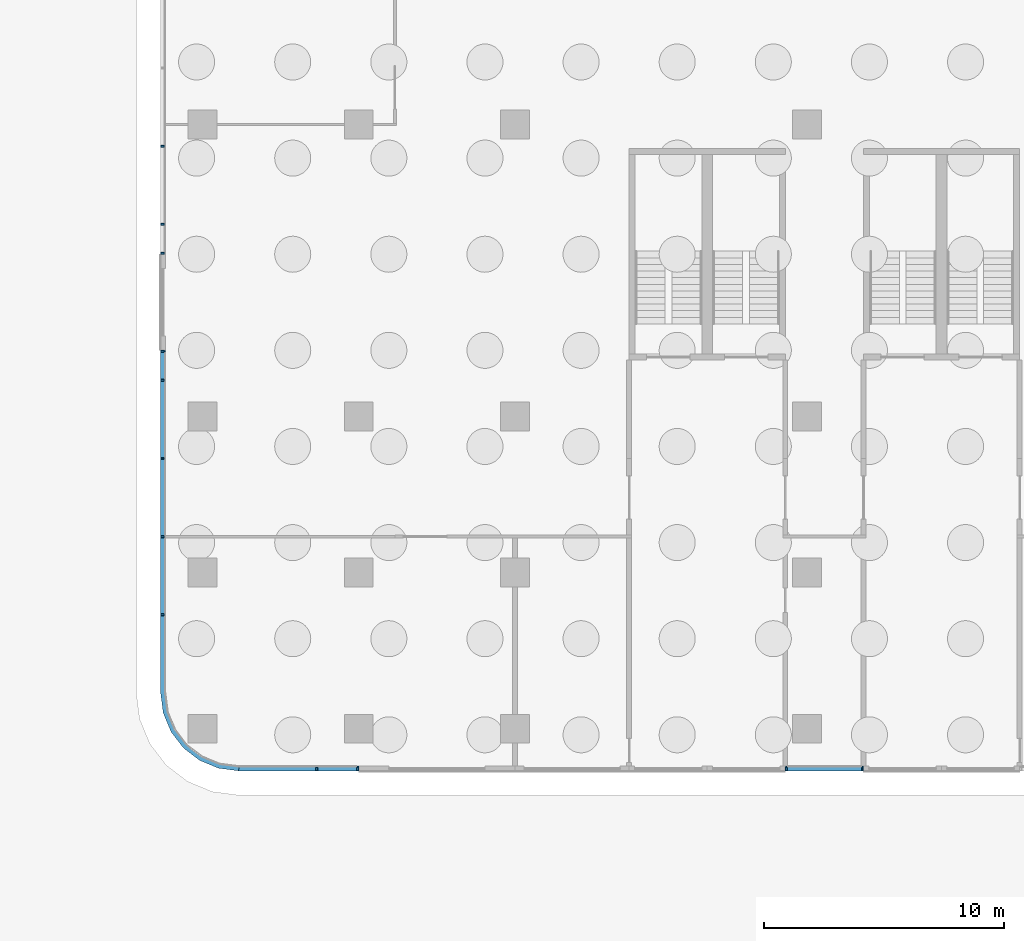
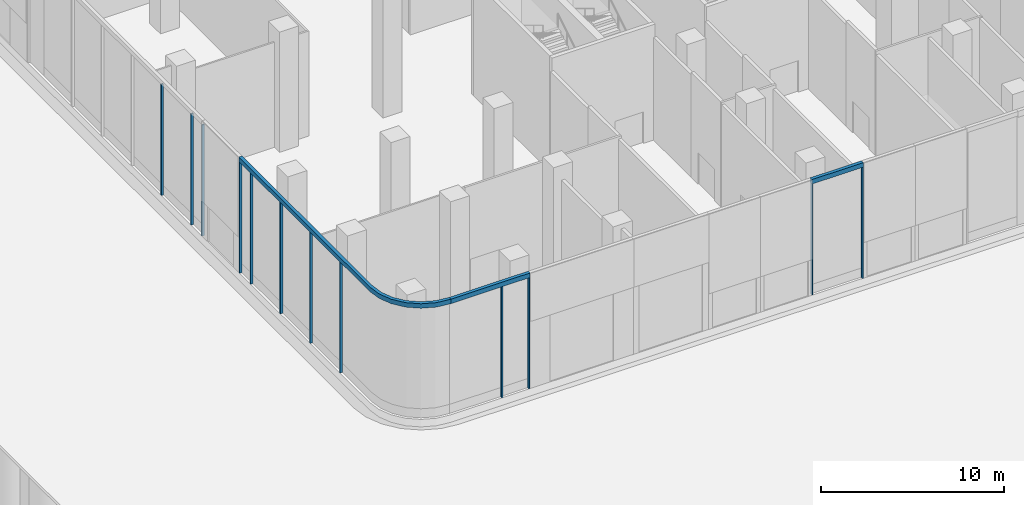
# One storey, part 3 of 27: 15 members, 4 elements without a shape of their own.
"""IFC4 building model written with IfcOpenShell, lengths in metres."""

from ifc_helpers import new_model, si_unit, direction, frame, origin, origin_2d, place, context, subcontext, project, spatial, polyline, rectangle, outline, extrude, source, transform, mapped, material, layer, layer_set, material_profile, profile_set, type_object, element, aggregate, save


model = new_model("IFC4")

# Units and contexts
model_context = context("Model", 3, precision=1e-05, world=origin(), true_north=direction((0.0, 1.0)))
body_context = subcontext(model_context, "Body", "Model", "MODEL_VIEW")
ifc_project = project(units=[si_unit("LENGTHUNIT", "METRE"), si_unit("AREAUNIT", "SQUARE_METRE"), si_unit("VOLUMEUNIT", "CUBIC_METRE"), si_unit("PLANEANGLEUNIT", "RADIAN"), si_unit("MASSUNIT", "GRAM", prefix="KILO")], contexts=[model_context])

# Site, building, storey
site_placement = place(None, origin())
site = spatial("IfcSite", under=ifc_project, at=site_placement, CompositionType="ELEMENT")
building_placement = place(site_placement, origin())
building = spatial("IfcBuilding", under=site, at=building_placement, Name="Trellis Farm Tower", CompositionType="ELEMENT")
storey_placement = place(building_placement, origin())
storey = spatial("IfcBuildingStorey", under=building, at=storey_placement, Name="L00", CompositionType="ELEMENT", Elevation=0.0)

# Curtain wall, member
ifc_material_1 = material(Name="Aluminium and glass curtain wall", Category="aluminium")
ifc_layer_1 = layer(ifc_material_1, 0.201904296875)
ifc_layer_set_1 = layer_set([ifc_layer_1], Name="SHOPFRONT CURTAIN WALL CW2")
curtain_wall_type = type_object("IfcCurtainWallType", Name="SHOPFRONT CURTAIN WALL CW2", PredefinedType="NOTDEFINED", material=ifc_layer_set_1)
placement_1 = place(storey_placement, origin())
curtain_wall_1 = element("IfcCurtainWall", 1, at=placement_1, inside=storey, type_object=curtain_wall_type, Name="CW2 014", PredefinedType="NOTDEFINED")
ifc_material_2 = material(Name="Aluminium extrusion 6063-T6", Category="aluminium")
ifc_layer_2 = layer(ifc_material_2, 0.205078125)
ifc_layer_set_2 = layer_set([ifc_layer_2], Name="Aluminium extrusion 6063-T6")
member_type_1 = type_object("IfcMemberType", Name="CW2 TRANSOM 205x300", PredefinedType="USERDEFINED", material=ifc_layer_set_2)
placement_2 = place(storey_placement, frame((0.0, 0.0, 7.39990234375)))
member_1 = element("IfcMember", 2, at=placement_2, type_object=member_type_1, Name="TR2 014", ObjectType="TRANSOM", PredefinedType="USERDEFINED", context=body_context, shape_type="SweptSolid", body=[
    extrude(outline(polyline([(-45.5, -28.0), (-45.5, -42.25), (-45.38916015625, -43.091064453125), (-45.064697265625, -43.875), (-44.548095703125, -44.548095703125), (-43.875, -45.064697265625), (-43.091064453125, -45.38916015625), (-42.25, -45.5), (-42.236572265625, -45.294921875), (-43.03759765625, -45.189453125), (-43.771728515625, -44.885498046875), (-44.40185546875, -44.40185546875), (-44.885498046875, -43.771728515625), (-45.189453125, -43.03759765625), (-45.294921875, -42.236572265625), (-45.294921875, -28.0), (-45.5, -28.0)])), origin(), (0.0, 0.0, 1.0), 0.300048828125),
])

curtain_wall_2 = element("IfcCurtainWall", 3, at=placement_1, inside=storey, type_object=curtain_wall_type, Name="CW2 015", PredefinedType="NOTDEFINED")
member_2 = element("IfcMember", 4, at=placement_2, type_object=member_type_1, Name="TR2 015", ObjectType="TRANSOM", PredefinedType="USERDEFINED", context=body_context, shape_type="SweptSolid", body=[
    extrude(outline(polyline([(-42.25, -45.5), (-37.25, -45.5), (-37.25, -45.294921875), (-42.236572265625, -45.294921875), (-42.25, -45.5)])), origin(), (0.0, 0.0, 1.0), 0.300048828125),
])

curtain_wall_3 = element("IfcCurtainWall", 5, at=placement_1, inside=storey, type_object=curtain_wall_type, Name="CW2 016", PredefinedType="NOTDEFINED")
member_3 = element("IfcMember", 6, at=placement_2, type_object=member_type_1, Name="TR2 016", ObjectType="TRANSOM", PredefinedType="USERDEFINED", context=body_context, shape_type="SweptSolid", body=[
    extrude(outline(polyline([(-19.5, -45.5), (-16.25, -45.5), (-16.25, -45.294921875), (-19.5, -45.294921875), (-19.5, -45.5)])), origin(), (0.0, 0.0, 1.0), 0.300048828125),
])

# Curtain wall, members
curtain_wall_4 = element("IfcCurtainWall", 7, at=placement_1, inside=storey, type_object=curtain_wall_type, Name="CW2 013", PredefinedType="NOTDEFINED")
ifc_material_profile = material_profile(ifc_material_2, rectangle(XDim=0.080078125, YDim=0.14990234375, at=origin_2d()), Name="MULLION 80x150")
ifc_profile_set = profile_set([ifc_material_profile], Name="Aluminium extrusion 6063-T6")
member_type_2 = type_object("IfcMemberType", Name="CW2 MULLION 80x150", PredefinedType="MULLION", material=ifc_profile_set)
shared_shape = source(origin(), body_context, "Body", "SweptSolid", [
    extrude(rectangle(XDim=0.080078125, YDim=0.14990234375, at=origin_2d()), origin(), (0.0, 0.0, 1.0), 7.39990234375),
])
member_4_placement = place(storey_placement, frame((-45.425048828125, -19.5, 0.0), z_axis=(0.0, 0.0, 1.0), x_axis=(0.0, -1.0, 0.0)))
member_4 = element("IfcMember", 8, at=member_4_placement, type_object=member_type_2, Name="MU2 013-04", PredefinedType="MULLION", context=body_context, shape_type="MappedRepresentation", body=[
    mapped(shared_shape, transform((0.0, 0.0, 0.0))),
])
member_5_placement = place(storey_placement, frame((-45.425048828125, -22.75, 0.0), z_axis=(0.0, 0.0, 1.0), x_axis=(0.0, -1.0, 0.0)))
member_5 = element("IfcMember", 9, at=member_5_placement, type_object=member_type_2, Name="MU2 013-05", PredefinedType="MULLION", context=body_context, shape_type="MappedRepresentation", body=[
    mapped(shared_shape, transform((0.0, 0.0, 0.0))),
])
member_6_placement = place(storey_placement, frame((-45.425048828125, -23.9599609375, 0.0), z_axis=(0.0, 0.0, 1.0), x_axis=(0.0, -1.0, 0.0)))
member_6 = element("IfcMember", 10, at=member_6_placement, type_object=member_type_2, Name="MU2 013-06", PredefinedType="MULLION", context=body_context, shape_type="MappedRepresentation", body=[
    mapped(shared_shape, transform((0.0, 0.0, 0.0))),
])
aggregate(curtain_wall_4, [member_4, member_5, member_6])

# Member
member_7_placement = place(storey_placement, frame((-45.425048828125, -28.0400390625, 0.0), z_axis=(0.0, 0.0, 1.0), x_axis=(0.0, -1.0, 0.0)))
member_7 = element("IfcMember", 11, at=member_7_placement, type_object=member_type_2, Name="MU2 014-01", PredefinedType="MULLION", context=body_context, shape_type="MappedRepresentation", body=[
    mapped(shared_shape, transform((0.0, 0.0, 0.0))),
])

member_8_placement = place(storey_placement, frame((-45.425048828125, -29.25, 0.0), z_axis=(0.0, 0.0, 1.0), x_axis=(0.0, -1.0, 0.0)))
member_8 = element("IfcMember", 12, at=member_8_placement, type_object=member_type_2, Name="MU2 014-02", PredefinedType="MULLION", context=body_context, shape_type="MappedRepresentation", body=[
    mapped(shared_shape, transform((0.0, 0.0, 0.0))),
])

member_9_placement = place(storey_placement, frame((-45.425048828125, -32.5, 0.0), z_axis=(0.0, 0.0, 1.0), x_axis=(0.0, -1.0, 0.0)))
member_9 = element("IfcMember", 13, at=member_9_placement, type_object=member_type_2, Name="MU2 014-03", PredefinedType="MULLION", context=body_context, shape_type="MappedRepresentation", body=[
    mapped(shared_shape, transform((0.0, 0.0, 0.0))),
])

member_10_placement = place(storey_placement, frame((-45.425048828125, -35.75, 0.0), z_axis=(0.0, 0.0, 1.0), x_axis=(0.0, -1.0, 0.0)))
member_10 = element("IfcMember", 14, at=member_10_placement, type_object=member_type_2, Name="MU2 014-04", PredefinedType="MULLION", context=body_context, shape_type="MappedRepresentation", body=[
    mapped(shared_shape, transform((0.0, 0.0, 0.0))),
])

member_11_placement = place(storey_placement, frame((-45.425048828125, -39.0, 0.0), z_axis=(0.0, 0.0, 1.0), x_axis=(0.0, -1.0, 0.0)))
member_11 = element("IfcMember", 15, at=member_11_placement, type_object=member_type_2, Name="MU2 014-05", PredefinedType="MULLION", context=body_context, shape_type="MappedRepresentation", body=[
    mapped(shared_shape, transform((0.0, 0.0, 0.0))),
])

aggregate(curtain_wall_1, [member_7, member_8, member_9, member_10, member_11, member_1])

member_12_placement = place(storey_placement, frame((-39.0, -45.425048828125, 0.0), z_axis=(0.0, 0.0, 1.0), x_axis=(1.0, 0.0, 0.0)))
member_12 = element("IfcMember", 16, at=member_12_placement, type_object=member_type_2, Name="MU2 015-01", PredefinedType="MULLION", context=body_context, shape_type="MappedRepresentation", body=[
    mapped(shared_shape, transform((0.0, 0.0, 0.0))),
])

member_13_placement = place(storey_placement, frame((-37.2900390625, -45.425048828125, 0.0), z_axis=(0.0, 0.0, 1.0), x_axis=(1.0, 0.0, 0.0)))
member_13 = element("IfcMember", 17, at=member_13_placement, type_object=member_type_2, Name="MU2 015-02", PredefinedType="MULLION", context=body_context, shape_type="MappedRepresentation", body=[
    mapped(shared_shape, transform((0.0, 0.0, 0.0))),
])

aggregate(curtain_wall_2, [member_12, member_13, member_2])

member_14_placement = place(storey_placement, frame((-19.4599609375, -45.425048828125, 0.0), z_axis=(0.0, 0.0, 1.0), x_axis=(1.0, 0.0, 0.0)))
member_14 = element("IfcMember", 18, at=member_14_placement, type_object=member_type_2, Name="MU2 016-01", PredefinedType="MULLION", context=body_context, shape_type="MappedRepresentation", body=[
    mapped(shared_shape, transform((0.0, 0.0, 0.0))),
])

member_15_placement = place(storey_placement, frame((-16.2900390625, -45.425048828125, 0.0), z_axis=(0.0, 0.0, 1.0), x_axis=(1.0, 0.0, 0.0)))
member_15 = element("IfcMember", 19, at=member_15_placement, type_object=member_type_2, Name="MU2 016-02", PredefinedType="MULLION", context=body_context, shape_type="MappedRepresentation", body=[
    mapped(shared_shape, transform((0.0, 0.0, 0.0))),
])

aggregate(curtain_wall_3, [member_14, member_15, member_3])

save(model, "model.ifc")
